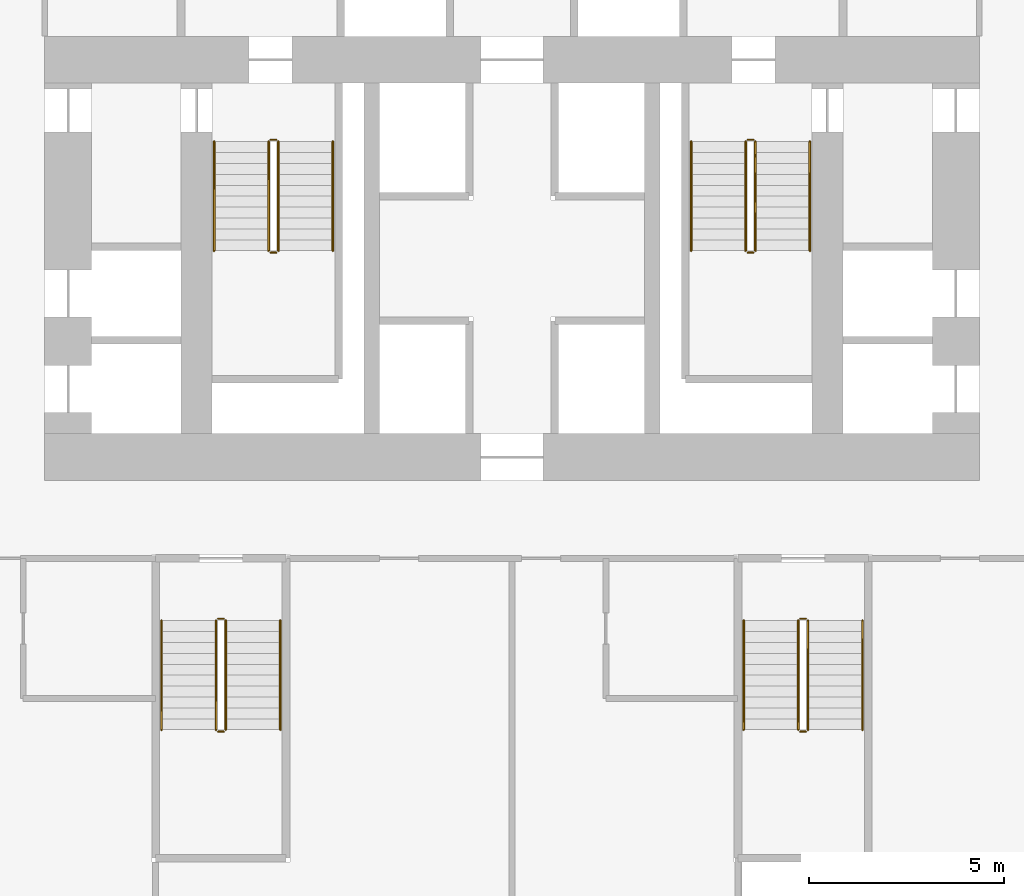
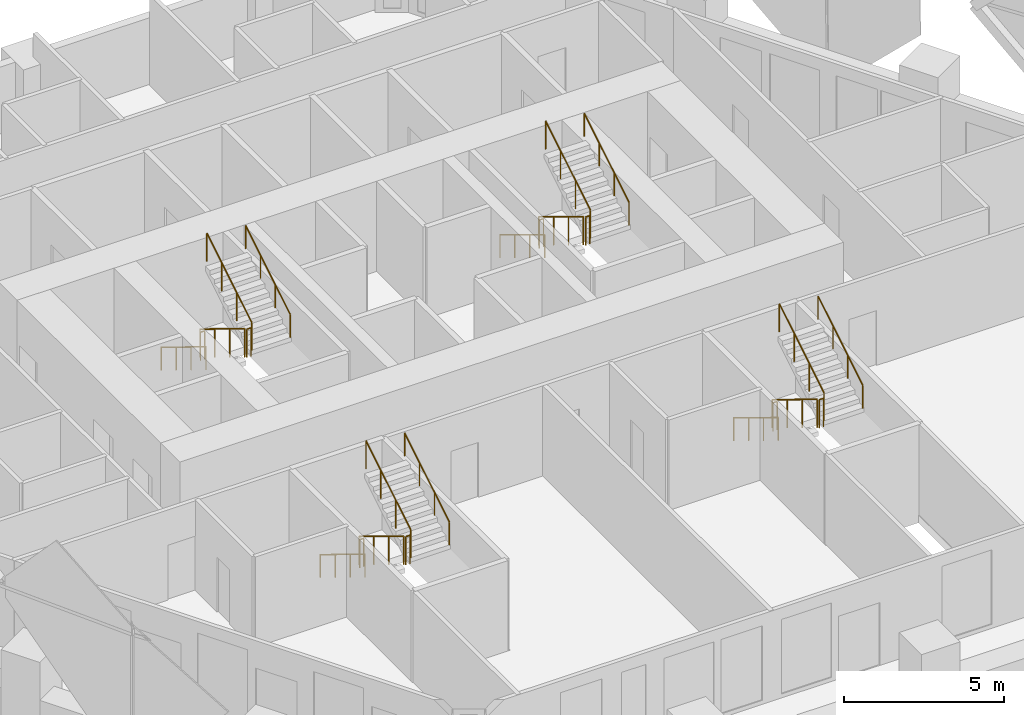
# One storey, part 16 of 16: 24 railings.
"""IFC4 building model written with IfcOpenShell, lengths in metres."""

from ifc_helpers import new_model, si_unit, direction, frame, origin, origin_2d, place, context, subcontext, project, spatial, circle, extrude, material, type_object, element, save


model = new_model("IFC4")

# Units and contexts
model_context = context("Model", 3, precision=1e-05, world=origin(), true_north=direction((0.0, 1.0)))
body_context = subcontext(model_context, "Body", "Model", "MODEL_VIEW")
ifc_project = project(units=[si_unit("LENGTHUNIT", "METRE"), si_unit("AREAUNIT", "SQUARE_METRE"), si_unit("VOLUMEUNIT", "CUBIC_METRE"), si_unit("PLANEANGLEUNIT", "RADIAN"), si_unit("MASSUNIT", "GRAM", prefix="KILO")], contexts=[model_context])

# Site, building, storey
site_placement = place(None, origin())
site = spatial("IfcSite", under=ifc_project, at=site_placement, CompositionType="ELEMENT")
building_placement = place(site_placement, origin())
building = spatial("IfcBuilding", under=site, at=building_placement, Name="Ostrander Bayou Hotel Tower", CompositionType="ELEMENT")
storey_placement = place(building_placement, frame((0.0, 0.0, 58.0)))
storey = spatial("IfcBuildingStorey", under=building, at=storey_placement, Name="L14", CompositionType="ELEMENT", Elevation=58.0)

# Railings
ifc_material_1 = material(Name="Steel ASTM A500 Gr C", Category="steel")
railing_type_1 = type_object("IfcRailingType", Name="GR1 stair guard 1100 mm steel", PredefinedType="GUARDRAIL", material=ifc_material_1)
railing_1_placement = place(storey_placement, frame((-6.25, 7.0, 0.17041015625)))
element("IfcRailing", 1, at=railing_1_placement, inside=storey, type_object=railing_type_1, Name="L14 STA stair guard 1", PredefinedType="GUARDRAIL", context=body_context, shape_type="SweptSolid", body=[
    extrude(circle(Radius=0.02392578125, at=origin_2d()), frame((0.0, 0.0, 1.076171875), z_axis=(0.0, -0.854169791009, 0.51999420009), x_axis=(1.0, 0.0, 0.0)), (0.0, 0.0, 1.0), 3.278076171875),
    extrude(circle(Radius=0.02099609375, at=origin_2d()), origin(), (0.0, 0.0, 1.0), 1.052001953125),
    extrude(circle(Radius=0.02099609375, at=origin_2d()), frame((0.0, -0.933349609375, 0.568115234375)), (0.0, 0.0, 1.0), 1.052001953125),
    extrude(circle(Radius=0.02099609375, at=origin_2d()), frame((0.0, -1.86669921875, 1.136474609375)), (0.0, 0.0, 1.0), 1.052001953125),
    extrude(circle(Radius=0.02099609375, at=origin_2d()), frame((0.0, -2.800048828125, 1.70458984375)), (0.0, 0.0, 1.0), 1.052001953125),
])
railing_2_placement = place(storey_placement, frame((-6.199951171875, 4.14990234375, 1.875)))
element("IfcRailing", 2, at=railing_2_placement, inside=storey, type_object=railing_type_1, Name="L14 STA stair guard 2", PredefinedType="GUARDRAIL", context=body_context, shape_type="SweptSolid", body=[
    extrude(circle(Radius=0.02392578125, at=origin_2d()), frame((0.0, 0.0, 1.076171875), z_axis=(1.0, 0.0, 0.0), x_axis=(0.0, 1.0, 0.0)), (0.0, 0.0, 1.0), 0.14990234375),
    extrude(circle(Radius=0.02099609375, at=origin_2d()), origin(), (0.0, 0.0, 1.0), 1.052001953125),
    extrude(circle(Radius=0.02099609375, at=origin_2d()), frame((0.14990234375, 0.0, 0.0)), (0.0, 0.0, 1.0), 1.052001953125),
])
railing_3_placement = place(storey_placement, frame((-6.0, 4.199951171875, 2.04541015625)))
element("IfcRailing", 3, at=railing_3_placement, inside=storey, type_object=railing_type_1, Name="L14 STA stair guard 3", PredefinedType="GUARDRAIL", context=body_context, shape_type="SweptSolid", body=[
    extrude(circle(Radius=0.02392578125, at=origin_2d()), frame((0.0, 0.0, 1.076171875), z_axis=(0.0, 0.854169791009, 0.51999420009), x_axis=(-1.0, 0.0, 0.0)), (0.0, 0.0, 1.0), 3.278076171875),
    extrude(circle(Radius=0.02099609375, at=origin_2d()), origin(), (0.0, 0.0, 1.0), 1.052001953125),
    extrude(circle(Radius=0.02099609375, at=origin_2d()), frame((0.0, 0.933349609375, 0.568115234375)), (0.0, 0.0, 1.0), 1.052001953125),
    extrude(circle(Radius=0.02099609375, at=origin_2d()), frame((0.0, 1.86669921875, 1.136474609375)), (0.0, 0.0, 1.0), 1.052001953125),
    extrude(circle(Radius=0.02099609375, at=origin_2d()), frame((0.0, 2.800048828125, 1.70458984375)), (0.0, 0.0, 1.0), 1.052001953125),
])
railing_4_placement = place(storey_placement, frame((-6.199951171875, 7.050048828125, 0.0)))
element("IfcRailing", 4, at=railing_4_placement, inside=storey, type_object=railing_type_1, Name="L14 STA stair guard 4", PredefinedType="GUARDRAIL", context=body_context, shape_type="SweptSolid", body=[
    extrude(circle(Radius=0.02392578125, at=origin_2d()), frame((0.0, 0.0, 1.076171875), z_axis=(1.0, 0.0, 0.0), x_axis=(0.0, 1.0, 0.0)), (0.0, 0.0, 1.0), 0.14990234375),
    extrude(circle(Radius=0.02099609375, at=origin_2d()), origin(), (0.0, 0.0, 1.0), 1.052001953125),
    extrude(circle(Radius=0.02099609375, at=origin_2d()), frame((0.14990234375, 0.0, 0.0)), (0.0, 0.0, 1.0), 1.052001953125),
])
railing_5_placement = place(storey_placement, frame((6.0, 7.0, 0.17041015625)))
element("IfcRailing", 5, at=railing_5_placement, inside=storey, type_object=railing_type_1, Name="L14 STB stair guard 1", PredefinedType="GUARDRAIL", context=body_context, shape_type="SweptSolid", body=[
    extrude(circle(Radius=0.02392578125, at=origin_2d()), frame((0.0, 0.0, 1.076171875), z_axis=(0.0, -0.854169791009, 0.51999420009), x_axis=(1.0, 0.0, 0.0)), (0.0, 0.0, 1.0), 3.278076171875),
    extrude(circle(Radius=0.02099609375, at=origin_2d()), origin(), (0.0, 0.0, 1.0), 1.052001953125),
    extrude(circle(Radius=0.02099609375, at=origin_2d()), frame((0.0, -0.933349609375, 0.568115234375)), (0.0, 0.0, 1.0), 1.052001953125),
    extrude(circle(Radius=0.02099609375, at=origin_2d()), frame((0.0, -1.86669921875, 1.136474609375)), (0.0, 0.0, 1.0), 1.052001953125),
    extrude(circle(Radius=0.02099609375, at=origin_2d()), frame((0.0, -2.800048828125, 1.70458984375)), (0.0, 0.0, 1.0), 1.052001953125),
])
railing_6_placement = place(storey_placement, frame((6.050048828125, 4.14990234375, 1.875)))
element("IfcRailing", 6, at=railing_6_placement, inside=storey, type_object=railing_type_1, Name="L14 STB stair guard 2", PredefinedType="GUARDRAIL", context=body_context, shape_type="SweptSolid", body=[
    extrude(circle(Radius=0.02392578125, at=origin_2d()), frame((0.0, 0.0, 1.076171875), z_axis=(1.0, 0.0, 0.0), x_axis=(0.0, 1.0, 0.0)), (0.0, 0.0, 1.0), 0.14990234375),
    extrude(circle(Radius=0.02099609375, at=origin_2d()), origin(), (0.0, 0.0, 1.0), 1.052001953125),
    extrude(circle(Radius=0.02099609375, at=origin_2d()), frame((0.14990234375, 0.0, 0.0)), (0.0, 0.0, 1.0), 1.052001953125),
])
railing_7_placement = place(storey_placement, frame((6.25, 4.199951171875, 2.04541015625)))
element("IfcRailing", 7, at=railing_7_placement, inside=storey, type_object=railing_type_1, Name="L14 STB stair guard 3", PredefinedType="GUARDRAIL", context=body_context, shape_type="SweptSolid", body=[
    extrude(circle(Radius=0.02392578125, at=origin_2d()), frame((0.0, 0.0, 1.076171875), z_axis=(0.0, 0.854169791009, 0.51999420009), x_axis=(-1.0, 0.0, 0.0)), (0.0, 0.0, 1.0), 3.278076171875),
    extrude(circle(Radius=0.02099609375, at=origin_2d()), origin(), (0.0, 0.0, 1.0), 1.052001953125),
    extrude(circle(Radius=0.02099609375, at=origin_2d()), frame((0.0, 0.933349609375, 0.568115234375)), (0.0, 0.0, 1.0), 1.052001953125),
    extrude(circle(Radius=0.02099609375, at=origin_2d()), frame((0.0, 1.86669921875, 1.136474609375)), (0.0, 0.0, 1.0), 1.052001953125),
    extrude(circle(Radius=0.02099609375, at=origin_2d()), frame((0.0, 2.800048828125, 1.70458984375)), (0.0, 0.0, 1.0), 1.052001953125),
])
railing_8_placement = place(storey_placement, frame((6.050048828125, 7.050048828125, 0.0)))
element("IfcRailing", 8, at=railing_8_placement, inside=storey, type_object=railing_type_1, Name="L14 STB stair guard 4", PredefinedType="GUARDRAIL", context=body_context, shape_type="SweptSolid", body=[
    extrude(circle(Radius=0.02392578125, at=origin_2d()), frame((0.0, 0.0, 1.076171875), z_axis=(1.0, 0.0, 0.0), x_axis=(0.0, 1.0, 0.0)), (0.0, 0.0, 1.0), 0.14990234375),
    extrude(circle(Radius=0.02099609375, at=origin_2d()), origin(), (0.0, 0.0, 1.0), 1.052001953125),
    extrude(circle(Radius=0.02099609375, at=origin_2d()), frame((0.14990234375, 0.0, 0.0)), (0.0, 0.0, 1.0), 1.052001953125),
])
railing_9_placement = place(storey_placement, frame((7.35009765625, -5.300048828125, 0.17041015625)))
element("IfcRailing", 9, at=railing_9_placement, inside=storey, type_object=railing_type_1, Name="L14 STC stair guard 1", PredefinedType="GUARDRAIL", context=body_context, shape_type="SweptSolid", body=[
    extrude(circle(Radius=0.02392578125, at=origin_2d()), frame((0.0, 0.0, 1.076171875), z_axis=(0.0, -0.854169791009, 0.51999420009), x_axis=(1.0, 0.0, 0.0)), (0.0, 0.0, 1.0), 3.278076171875),
    extrude(circle(Radius=0.02099609375, at=origin_2d()), origin(), (0.0, 0.0, 1.0), 1.052001953125),
    extrude(circle(Radius=0.02099609375, at=origin_2d()), frame((0.0, -0.933349609375, 0.568115234375)), (0.0, 0.0, 1.0), 1.052001953125),
    extrude(circle(Radius=0.02099609375, at=origin_2d()), frame((0.0, -1.86669921875, 1.136474609375)), (0.0, 0.0, 1.0), 1.052001953125),
    extrude(circle(Radius=0.02099609375, at=origin_2d()), frame((0.0, -2.800048828125, 1.70458984375)), (0.0, 0.0, 1.0), 1.052001953125),
])
railing_10_placement = place(storey_placement, frame((7.39990234375, -8.14990234375, 1.875)))
element("IfcRailing", 10, at=railing_10_placement, inside=storey, type_object=railing_type_1, Name="L14 STC stair guard 2", PredefinedType="GUARDRAIL", context=body_context, shape_type="SweptSolid", body=[
    extrude(circle(Radius=0.02392578125, at=origin_2d()), frame((0.0, 0.0, 1.076171875), z_axis=(1.0, 0.0, 0.0), x_axis=(0.0, 1.0, 0.0)), (0.0, 0.0, 1.0), 0.150146484375),
    extrude(circle(Radius=0.02099609375, at=origin_2d()), origin(), (0.0, 0.0, 1.0), 1.052001953125),
    extrude(circle(Radius=0.02099609375, at=origin_2d()), frame((0.150146484375, 0.0, 0.0)), (0.0, 0.0, 1.0), 1.052001953125),
])
railing_11_placement = place(storey_placement, frame((7.60009765625, -8.10009765625, 2.04541015625)))
element("IfcRailing", 11, at=railing_11_placement, inside=storey, type_object=railing_type_1, Name="L14 STC stair guard 3", PredefinedType="GUARDRAIL", context=body_context, shape_type="SweptSolid", body=[
    extrude(circle(Radius=0.02392578125, at=origin_2d()), frame((0.0, 0.0, 1.076171875), z_axis=(0.0, 0.854169791009, 0.51999420009), x_axis=(-1.0, 0.0, 0.0)), (0.0, 0.0, 1.0), 3.278076171875),
    extrude(circle(Radius=0.02099609375, at=origin_2d()), origin(), (0.0, 0.0, 1.0), 1.052001953125),
    extrude(circle(Radius=0.02099609375, at=origin_2d()), frame((0.0, 0.933349609375, 0.568115234375)), (0.0, 0.0, 1.0), 1.052001953125),
    extrude(circle(Radius=0.02099609375, at=origin_2d()), frame((0.0, 1.86669921875, 1.136474609375)), (0.0, 0.0, 1.0), 1.052001953125),
    extrude(circle(Radius=0.02099609375, at=origin_2d()), frame((0.0, 2.800048828125, 1.70458984375)), (0.0, 0.0, 1.0), 1.052001953125),
])
railing_12_placement = place(storey_placement, frame((7.39990234375, -5.25, 0.0)))
element("IfcRailing", 12, at=railing_12_placement, inside=storey, type_object=railing_type_1, Name="L14 STC stair guard 4", PredefinedType="GUARDRAIL", context=body_context, shape_type="SweptSolid", body=[
    extrude(circle(Radius=0.02392578125, at=origin_2d()), frame((0.0, 0.0, 1.076171875), z_axis=(1.0, 0.0, 0.0), x_axis=(0.0, 1.0, 0.0)), (0.0, 0.0, 1.0), 0.150146484375),
    extrude(circle(Radius=0.02099609375, at=origin_2d()), origin(), (0.0, 0.0, 1.0), 1.052001953125),
    extrude(circle(Radius=0.02099609375, at=origin_2d()), frame((0.150146484375, 0.0, 0.0)), (0.0, 0.0, 1.0), 1.052001953125),
])
railing_13_placement = place(storey_placement, frame((-7.60009765625, -5.300048828125, 0.17041015625)))
element("IfcRailing", 13, at=railing_13_placement, inside=storey, type_object=railing_type_1, Name="L14 STD stair guard 1", PredefinedType="GUARDRAIL", context=body_context, shape_type="SweptSolid", body=[
    extrude(circle(Radius=0.02392578125, at=origin_2d()), frame((0.0, 0.0, 1.076171875), z_axis=(0.0, -0.854169791009, 0.51999420009), x_axis=(1.0, 0.0, 0.0)), (0.0, 0.0, 1.0), 3.278076171875),
    extrude(circle(Radius=0.02099609375, at=origin_2d()), origin(), (0.0, 0.0, 1.0), 1.052001953125),
    extrude(circle(Radius=0.02099609375, at=origin_2d()), frame((0.0, -0.933349609375, 0.568115234375)), (0.0, 0.0, 1.0), 1.052001953125),
    extrude(circle(Radius=0.02099609375, at=origin_2d()), frame((0.0, -1.86669921875, 1.136474609375)), (0.0, 0.0, 1.0), 1.052001953125),
    extrude(circle(Radius=0.02099609375, at=origin_2d()), frame((0.0, -2.800048828125, 1.70458984375)), (0.0, 0.0, 1.0), 1.052001953125),
])
railing_14_placement = place(storey_placement, frame((-7.550048828125, -8.14990234375, 1.875)))
element("IfcRailing", 14, at=railing_14_placement, inside=storey, type_object=railing_type_1, Name="L14 STD stair guard 2", PredefinedType="GUARDRAIL", context=body_context, shape_type="SweptSolid", body=[
    extrude(circle(Radius=0.02392578125, at=origin_2d()), frame((0.0, 0.0, 1.076171875), z_axis=(1.0, 0.0, 0.0), x_axis=(0.0, 1.0, 0.0)), (0.0, 0.0, 1.0), 0.150146484375),
    extrude(circle(Radius=0.02099609375, at=origin_2d()), origin(), (0.0, 0.0, 1.0), 1.052001953125),
    extrude(circle(Radius=0.02099609375, at=origin_2d()), frame((0.150146484375, 0.0, 0.0)), (0.0, 0.0, 1.0), 1.052001953125),
])
railing_15_placement = place(storey_placement, frame((-7.35009765625, -8.10009765625, 2.04541015625)))
element("IfcRailing", 15, at=railing_15_placement, inside=storey, type_object=railing_type_1, Name="L14 STD stair guard 3", PredefinedType="GUARDRAIL", context=body_context, shape_type="SweptSolid", body=[
    extrude(circle(Radius=0.02392578125, at=origin_2d()), frame((0.0, 0.0, 1.076171875), z_axis=(0.0, 0.854169791009, 0.51999420009), x_axis=(-1.0, 0.0, 0.0)), (0.0, 0.0, 1.0), 3.278076171875),
    extrude(circle(Radius=0.02099609375, at=origin_2d()), origin(), (0.0, 0.0, 1.0), 1.052001953125),
    extrude(circle(Radius=0.02099609375, at=origin_2d()), frame((0.0, 0.933349609375, 0.568115234375)), (0.0, 0.0, 1.0), 1.052001953125),
    extrude(circle(Radius=0.02099609375, at=origin_2d()), frame((0.0, 1.86669921875, 1.136474609375)), (0.0, 0.0, 1.0), 1.052001953125),
    extrude(circle(Radius=0.02099609375, at=origin_2d()), frame((0.0, 2.800048828125, 1.70458984375)), (0.0, 0.0, 1.0), 1.052001953125),
])
railing_16_placement = place(storey_placement, frame((-7.550048828125, -5.25, 0.0)))
element("IfcRailing", 16, at=railing_16_placement, inside=storey, type_object=railing_type_1, Name="L14 STD stair guard 4", PredefinedType="GUARDRAIL", context=body_context, shape_type="SweptSolid", body=[
    extrude(circle(Radius=0.02392578125, at=origin_2d()), frame((0.0, 0.0, 1.076171875), z_axis=(1.0, 0.0, 0.0), x_axis=(0.0, 1.0, 0.0)), (0.0, 0.0, 1.0), 0.150146484375),
    extrude(circle(Radius=0.02099609375, at=origin_2d()), origin(), (0.0, 0.0, 1.0), 1.052001953125),
    extrude(circle(Radius=0.02099609375, at=origin_2d()), frame((0.150146484375, 0.0, 0.0)), (0.0, 0.0, 1.0), 1.052001953125),
])
ifc_material_2 = material(Name="Steel ASTM A500 Gr C", Category="steel")
railing_type_2 = type_object("IfcRailingType", Name="HR1 stair handrail 900 mm steel", PredefinedType="HANDRAIL", material=ifc_material_2)
railing_17_placement = place(storey_placement, frame((-7.64990234375, 7.0, 0.17041015625)))
element("IfcRailing", 17, at=railing_17_placement, inside=storey, type_object=railing_type_2, Name="L14 STA stair handrail 1", PredefinedType="HANDRAIL", context=body_context, shape_type="SweptSolid", body=[
    extrude(circle(Radius=0.02392578125, at=origin_2d()), frame((0.0, 0.0, 0.8759765625), z_axis=(0.0, -0.854169791009, 0.51999420009), x_axis=(1.0, 0.0, 0.0)), (0.0, 0.0, 1.0), 3.278076171875),
    extrude(circle(Radius=0.02099609375, at=origin_2d()), origin(), (0.0, 0.0, 1.0), 0.851806640625),
    extrude(circle(Radius=0.02099609375, at=origin_2d()), frame((0.0, -0.933349609375, 0.568115234375)), (0.0, 0.0, 1.0), 0.851806640625),
    extrude(circle(Radius=0.02099609375, at=origin_2d()), frame((0.0, -1.86669921875, 1.136474609375)), (0.0, 0.0, 1.0), 0.851806640625),
    extrude(circle(Radius=0.02099609375, at=origin_2d()), frame((0.0, -2.800048828125, 1.70458984375)), (0.0, 0.0, 1.0), 0.851806640625),
])
railing_18_placement = place(storey_placement, frame((-4.60009765625, 4.199951171875, 2.04541015625)))
element("IfcRailing", 18, at=railing_18_placement, inside=storey, type_object=railing_type_2, Name="L14 STA stair handrail 2", PredefinedType="HANDRAIL", context=body_context, shape_type="SweptSolid", body=[
    extrude(circle(Radius=0.02392578125, at=origin_2d()), frame((0.0, 0.0, 0.8759765625), z_axis=(0.0, 0.854169791009, 0.51999420009), x_axis=(-1.0, 0.0, 0.0)), (0.0, 0.0, 1.0), 3.278076171875),
    extrude(circle(Radius=0.02099609375, at=origin_2d()), origin(), (0.0, 0.0, 1.0), 0.851806640625),
    extrude(circle(Radius=0.02099609375, at=origin_2d()), frame((0.0, 0.933349609375, 0.568115234375)), (0.0, 0.0, 1.0), 0.851806640625),
    extrude(circle(Radius=0.02099609375, at=origin_2d()), frame((0.0, 1.86669921875, 1.136474609375)), (0.0, 0.0, 1.0), 0.851806640625),
    extrude(circle(Radius=0.02099609375, at=origin_2d()), frame((0.0, 2.800048828125, 1.70458984375)), (0.0, 0.0, 1.0), 0.851806640625),
])
railing_19_placement = place(storey_placement, frame((4.60009765625, 7.0, 0.17041015625)))
element("IfcRailing", 19, at=railing_19_placement, inside=storey, type_object=railing_type_2, Name="L14 STB stair handrail 1", PredefinedType="HANDRAIL", context=body_context, shape_type="SweptSolid", body=[
    extrude(circle(Radius=0.02392578125, at=origin_2d()), frame((0.0, 0.0, 0.8759765625), z_axis=(0.0, -0.854169791009, 0.51999420009), x_axis=(1.0, 0.0, 0.0)), (0.0, 0.0, 1.0), 3.278076171875),
    extrude(circle(Radius=0.02099609375, at=origin_2d()), origin(), (0.0, 0.0, 1.0), 0.851806640625),
    extrude(circle(Radius=0.02099609375, at=origin_2d()), frame((0.0, -0.933349609375, 0.568115234375)), (0.0, 0.0, 1.0), 0.851806640625),
    extrude(circle(Radius=0.02099609375, at=origin_2d()), frame((0.0, -1.86669921875, 1.136474609375)), (0.0, 0.0, 1.0), 0.851806640625),
    extrude(circle(Radius=0.02099609375, at=origin_2d()), frame((0.0, -2.800048828125, 1.70458984375)), (0.0, 0.0, 1.0), 0.851806640625),
])
railing_20_placement = place(storey_placement, frame((7.64990234375, 4.199951171875, 2.04541015625)))
element("IfcRailing", 20, at=railing_20_placement, inside=storey, type_object=railing_type_2, Name="L14 STB stair handrail 2", PredefinedType="HANDRAIL", context=body_context, shape_type="SweptSolid", body=[
    extrude(circle(Radius=0.02392578125, at=origin_2d()), frame((0.0, 0.0, 0.8759765625), z_axis=(0.0, 0.854169791009, 0.51999420009), x_axis=(-1.0, 0.0, 0.0)), (0.0, 0.0, 1.0), 3.278076171875),
    extrude(circle(Radius=0.02099609375, at=origin_2d()), origin(), (0.0, 0.0, 1.0), 0.851806640625),
    extrude(circle(Radius=0.02099609375, at=origin_2d()), frame((0.0, 0.933349609375, 0.568115234375)), (0.0, 0.0, 1.0), 0.851806640625),
    extrude(circle(Radius=0.02099609375, at=origin_2d()), frame((0.0, 1.86669921875, 1.136474609375)), (0.0, 0.0, 1.0), 0.851806640625),
    extrude(circle(Radius=0.02099609375, at=origin_2d()), frame((0.0, 2.800048828125, 1.70458984375)), (0.0, 0.0, 1.0), 0.851806640625),
])
railing_21_placement = place(storey_placement, frame((5.949951171875, -5.300048828125, 0.17041015625)))
element("IfcRailing", 21, at=railing_21_placement, inside=storey, type_object=railing_type_2, Name="L14 STC stair handrail 1", PredefinedType="HANDRAIL", context=body_context, shape_type="SweptSolid", body=[
    extrude(circle(Radius=0.02392578125, at=origin_2d()), frame((0.0, 0.0, 0.8759765625), z_axis=(0.0, -0.854169791009, 0.51999420009), x_axis=(1.0, 0.0, 0.0)), (0.0, 0.0, 1.0), 3.278076171875),
    extrude(circle(Radius=0.02099609375, at=origin_2d()), origin(), (0.0, 0.0, 1.0), 0.851806640625),
    extrude(circle(Radius=0.02099609375, at=origin_2d()), frame((0.0, -0.933349609375, 0.568115234375)), (0.0, 0.0, 1.0), 0.851806640625),
    extrude(circle(Radius=0.02099609375, at=origin_2d()), frame((0.0, -1.86669921875, 1.136474609375)), (0.0, 0.0, 1.0), 0.851806640625),
    extrude(circle(Radius=0.02099609375, at=origin_2d()), frame((0.0, -2.800048828125, 1.70458984375)), (0.0, 0.0, 1.0), 0.851806640625),
])
railing_22_placement = place(storey_placement, frame((9.0, -8.10009765625, 2.04541015625)))
element("IfcRailing", 22, at=railing_22_placement, inside=storey, type_object=railing_type_2, Name="L14 STC stair handrail 2", PredefinedType="HANDRAIL", context=body_context, shape_type="SweptSolid", body=[
    extrude(circle(Radius=0.02392578125, at=origin_2d()), frame((0.0, 0.0, 0.8759765625), z_axis=(0.0, 0.854169791009, 0.51999420009), x_axis=(-1.0, 0.0, 0.0)), (0.0, 0.0, 1.0), 3.278076171875),
    extrude(circle(Radius=0.02099609375, at=origin_2d()), origin(), (0.0, 0.0, 1.0), 0.851806640625),
    extrude(circle(Radius=0.02099609375, at=origin_2d()), frame((0.0, 0.933349609375, 0.568115234375)), (0.0, 0.0, 1.0), 0.851806640625),
    extrude(circle(Radius=0.02099609375, at=origin_2d()), frame((0.0, 1.86669921875, 1.136474609375)), (0.0, 0.0, 1.0), 0.851806640625),
    extrude(circle(Radius=0.02099609375, at=origin_2d()), frame((0.0, 2.800048828125, 1.70458984375)), (0.0, 0.0, 1.0), 0.851806640625),
])
railing_23_placement = place(storey_placement, frame((-9.0, -5.300048828125, 0.17041015625)))
element("IfcRailing", 23, at=railing_23_placement, inside=storey, type_object=railing_type_2, Name="L14 STD stair handrail 1", PredefinedType="HANDRAIL", context=body_context, shape_type="SweptSolid", body=[
    extrude(circle(Radius=0.02392578125, at=origin_2d()), frame((0.0, 0.0, 0.8759765625), z_axis=(0.0, -0.854169791009, 0.51999420009), x_axis=(1.0, 0.0, 0.0)), (0.0, 0.0, 1.0), 3.278076171875),
    extrude(circle(Radius=0.02099609375, at=origin_2d()), origin(), (0.0, 0.0, 1.0), 0.851806640625),
    extrude(circle(Radius=0.02099609375, at=origin_2d()), frame((0.0, -0.933349609375, 0.568115234375)), (0.0, 0.0, 1.0), 0.851806640625),
    extrude(circle(Radius=0.02099609375, at=origin_2d()), frame((0.0, -1.86669921875, 1.136474609375)), (0.0, 0.0, 1.0), 0.851806640625),
    extrude(circle(Radius=0.02099609375, at=origin_2d()), frame((0.0, -2.800048828125, 1.70458984375)), (0.0, 0.0, 1.0), 0.851806640625),
])
railing_24_placement = place(storey_placement, frame((-5.949951171875, -8.10009765625, 2.04541015625)))
element("IfcRailing", 24, at=railing_24_placement, inside=storey, type_object=railing_type_2, Name="L14 STD stair handrail 2", PredefinedType="HANDRAIL", context=body_context, shape_type="SweptSolid", body=[
    extrude(circle(Radius=0.02392578125, at=origin_2d()), frame((0.0, 0.0, 0.8759765625), z_axis=(0.0, 0.854169791009, 0.51999420009), x_axis=(-1.0, 0.0, 0.0)), (0.0, 0.0, 1.0), 3.278076171875),
    extrude(circle(Radius=0.02099609375, at=origin_2d()), origin(), (0.0, 0.0, 1.0), 0.851806640625),
    extrude(circle(Radius=0.02099609375, at=origin_2d()), frame((0.0, 0.933349609375, 0.568115234375)), (0.0, 0.0, 1.0), 0.851806640625),
    extrude(circle(Radius=0.02099609375, at=origin_2d()), frame((0.0, 1.86669921875, 1.136474609375)), (0.0, 0.0, 1.0), 0.851806640625),
    extrude(circle(Radius=0.02099609375, at=origin_2d()), frame((0.0, 2.800048828125, 1.70458984375)), (0.0, 0.0, 1.0), 0.851806640625),
])

save(model, "model.ifc")
